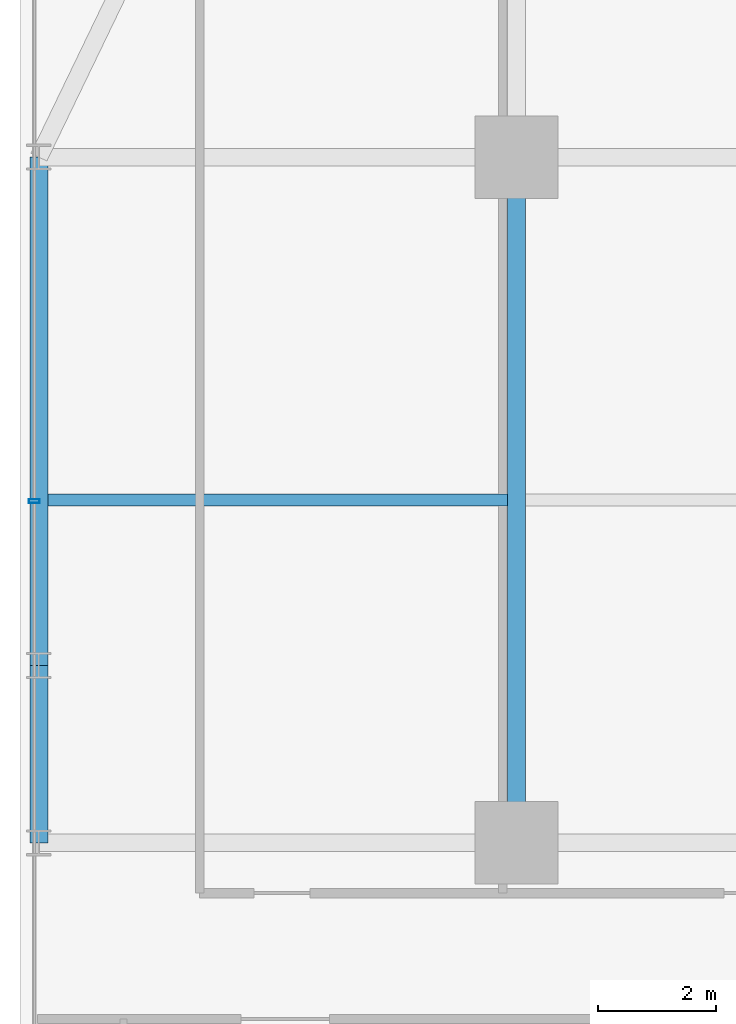
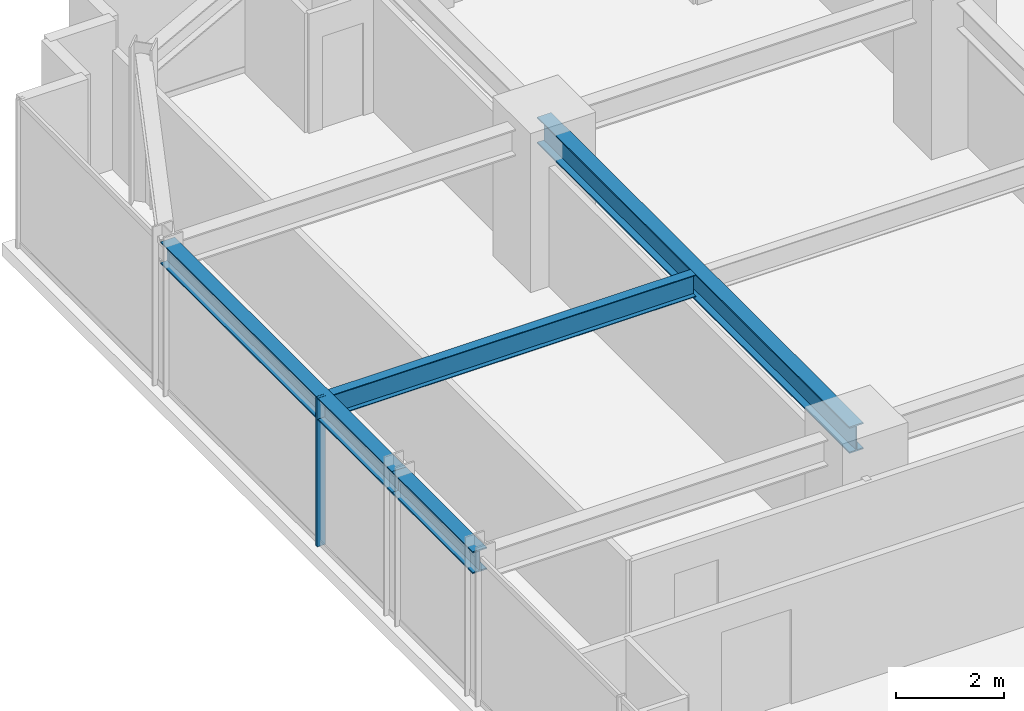
# One storey, part 18 of 35: 4 beams, 1 member, 1 element without a shape of its own.
"""IFC4 building model written with IfcOpenShell, lengths in metres."""

from ifc_helpers import new_model, si_unit, direction, frame, origin, origin_2d, place, context, subcontext, project, spatial, hollow_rectangle, i_section, extrude, source, transform, mapped, material, material_profile, profile_set, type_object, element, aggregate, save


model = new_model("IFC4")

# Units and contexts
model_context = context("Model", 3, precision=1e-05, world=origin(), true_north=direction((0.0, 1.0)))
body_context = subcontext(model_context, "Body", "Model", "MODEL_VIEW")
ifc_project = project(units=[si_unit("LENGTHUNIT", "METRE"), si_unit("AREAUNIT", "SQUARE_METRE"), si_unit("VOLUMEUNIT", "CUBIC_METRE"), si_unit("PLANEANGLEUNIT", "RADIAN"), si_unit("MASSUNIT", "GRAM", prefix="KILO")], contexts=[model_context])

# Site, building, storey
site_placement = place(None, origin())
site = spatial("IfcSite", under=ifc_project, at=site_placement, CompositionType="ELEMENT")
building_placement = place(site_placement, origin())
building = spatial("IfcBuilding", under=site, at=building_placement, Name="Nahalor Promenade Grand Hotel", CompositionType="ELEMENT")
storey_placement = place(building_placement, frame((0.0, 0.0, 39.699951171875)))
storey = spatial("IfcBuildingStorey", under=building, at=storey_placement, Name="L08", CompositionType="ELEMENT", Elevation=39.699951171875)

# Beams
ifc_material_1 = material(Name="Steel S355JR", Category="steel")
ifc_material_profile_1 = material_profile(ifc_material_1, i_section(OverallWidth=0.3, OverallDepth=0.6, WebThickness=0.0155, FlangeThickness=0.03, at=origin_2d()), Name="HEB 600")
ifc_profile_set_1 = profile_set([ifc_material_profile_1], Name="Steel S355JR")
beam_type_1 = type_object("IfcBeamType", Name="Beam-Girder-HEB600", PredefinedType="BEAM", material=ifc_profile_set_1)
shared_shape_1 = source(origin(), body_context, "Body", "SweptSolid", [
    extrude(i_section(OverallWidth=0.3, OverallDepth=0.6, WebThickness=0.0155, FlangeThickness=0.03, at=origin_2d()), origin(), (0.0, 0.0, 1.0), 11.60009765625),
])
beam_1_placement = place(storey_placement, frame((-17.0, 5.39990234375, 3.070068359375), z_axis=(0.0, 1.0, 0.0), x_axis=(-1.0, 0.0, 0.0)))
element("IfcBeam", 1, at=beam_1_placement, inside=storey, type_object=beam_type_1, Name="BM-L08-GY-0-3", PredefinedType="BEAM", context=body_context, shape_type="MappedRepresentation", body=[
    mapped(shared_shape_1, transform((0.0, 0.0, 0.0), scale=1.0)),
])
ifc_material_profile_2 = material_profile(ifc_material_1, i_section(OverallWidth=0.3, OverallDepth=0.5, WebThickness=0.0145, FlangeThickness=0.028, at=origin_2d()), Name="HEB 500")
ifc_profile_set_2 = profile_set([ifc_material_profile_2], Name="Steel S355JR")
beam_type_2 = type_object("IfcBeamType", Name="Beam-Spandrel-HEB500", PredefinedType="SPANDREL", material=ifc_profile_set_2)
shared_shape_2 = source(origin(), body_context, "Body", "SweptSolid", [
    extrude(i_section(OverallWidth=0.3, OverallDepth=0.5, WebThickness=0.0145, FlangeThickness=0.028, at=origin_2d()), origin(), (0.0, 0.0, 1.0), 8.60009765625),
])
beam_2_placement = place(storey_placement, frame((-25.080078125, 8.39990234375, 3.1201171875), z_axis=(0.0, 1.0, 0.0), x_axis=(-1.0, 0.0, 0.0)))
element("IfcBeam", 2, at=beam_2_placement, inside=storey, type_object=beam_type_2, Name="BM-L08-SP-W-4", PredefinedType="SPANDREL", context=body_context, shape_type="MappedRepresentation", body=[
    mapped(shared_shape_2, transform((0.0, 0.0, 0.0), scale=1.0)),
])
shared_shape_3 = source(origin(), body_context, "Body", "SweptSolid", [
    extrude(i_section(OverallWidth=0.3, OverallDepth=0.5, WebThickness=0.0145, FlangeThickness=0.028, at=origin_2d()), origin(), (0.0, 0.0, 1.0), 3.0),
])
beam_3_placement = place(storey_placement, frame((-25.080078125, 5.39990234375, 3.1201171875), z_axis=(0.0, 1.0, 0.0), x_axis=(-1.0, 0.0, 0.0)))
element("IfcBeam", 3, at=beam_3_placement, inside=storey, type_object=beam_type_2, Name="BM-L08-SP-W-3", PredefinedType="SPANDREL", context=body_context, shape_type="MappedRepresentation", body=[
    mapped(shared_shape_3, transform((0.0, 0.0, 0.0), scale=1.0)),
])
ifc_material_profile_3 = material_profile(ifc_material_1, i_section(OverallWidth=0.2, OverallDepth=0.5, WebThickness=0.0102, FlangeThickness=0.016, at=origin_2d()), Name="IPE 500")
ifc_profile_set_3 = profile_set([ifc_material_profile_3], Name="Steel S355JR")
beam_type_3 = type_object("IfcBeamType", Name="Beam-Joist-IPE500", PredefinedType="JOIST", material=ifc_profile_set_3)
shared_shape_4 = source(origin(), body_context, "Body", "SweptSolid", [
    extrude(i_section(OverallWidth=0.2, OverallDepth=0.5, WebThickness=0.0102, FlangeThickness=0.016, at=origin_2d()), origin(), (0.0, 0.0, 1.0), 7.780029296875),
])
beam_4_placement = place(storey_placement, frame((-24.929931640625, 11.199951171875, 3.1201171875), z_axis=(1.0, 0.0, 0.0), x_axis=(0.0, 1.0, 0.0)))
element("IfcBeam", 4, at=beam_4_placement, inside=storey, type_object=beam_type_3, Name="BM-L08-JSW-1-0", PredefinedType="JOIST", context=body_context, shape_type="MappedRepresentation", body=[
    mapped(shared_shape_4, transform((0.0, 0.0, 0.0), scale=1.0)),
])

# Curtain wall, member
ifc_material_2 = material(Name="Anodised Bronze Aluminium EN AW-6063 T6", Category="aluminium")
curtain_wall_type = type_object("IfcCurtainWallType", Name="CW2 Typical Hotel Flush Bronze Unitised Curtain Wall", PredefinedType="USERDEFINED", material=ifc_material_2)
curtain_wall_placement = place(storey_placement, origin())
curtain_wall = element("IfcCurtainWall", 5, at=curtain_wall_placement, inside=storey, type_object=curtain_wall_type, Name="L08 Curtain Wall CW-L08-W-1", ObjectType="UNITISED_CURTAIN_WALL", PredefinedType="USERDEFINED")
ifc_material_profile_4 = material_profile(ifc_material_2, hollow_rectangle(XDim=0.065, YDim=0.18, WallThickness=0.004, at=origin_2d()), Name="CWM 65x180x4")
ifc_profile_set_4 = profile_set([ifc_material_profile_4], Name="Anodised Bronze Aluminium EN AW-6063 T6")
member_type = type_object("IfcMemberType", Name="CWM2 Typical Bronze Mullion 65x180", PredefinedType="MULLION", material=ifc_profile_set_4)
shared_shape_5 = source(origin(), body_context, "Body", "SweptSolid", [
    extrude(hollow_rectangle(XDim=0.065, YDim=0.18, WallThickness=0.004, at=origin_2d()), origin(), (0.0, 0.0, 1.0), 3.3701171875),
])
member_placement = place(storey_placement, frame((-25.159912109375, 11.179931640625, 0.0), z_axis=(0.0, 0.0, 1.0), x_axis=(0.0, 1.0, 0.0)))
member = element("IfcMember", 6, at=member_placement, type_object=member_type, Name="CW-L08-W-1 Mullion 3", PredefinedType="MULLION", context=body_context, shape_type="MappedRepresentation", body=[
    mapped(shared_shape_5, transform((0.0, 0.0, 0.0), scale=1.0)),
])
aggregate(curtain_wall, [member])

save(model, "model.ifc")
